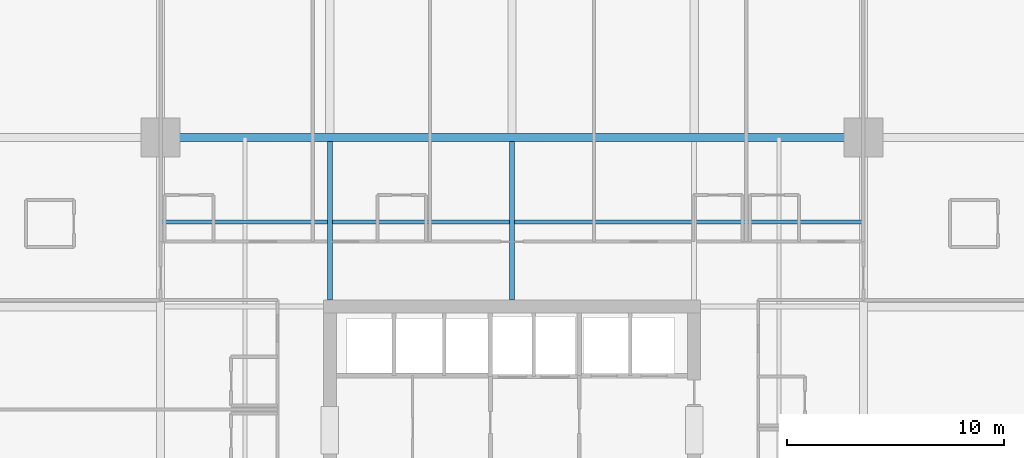
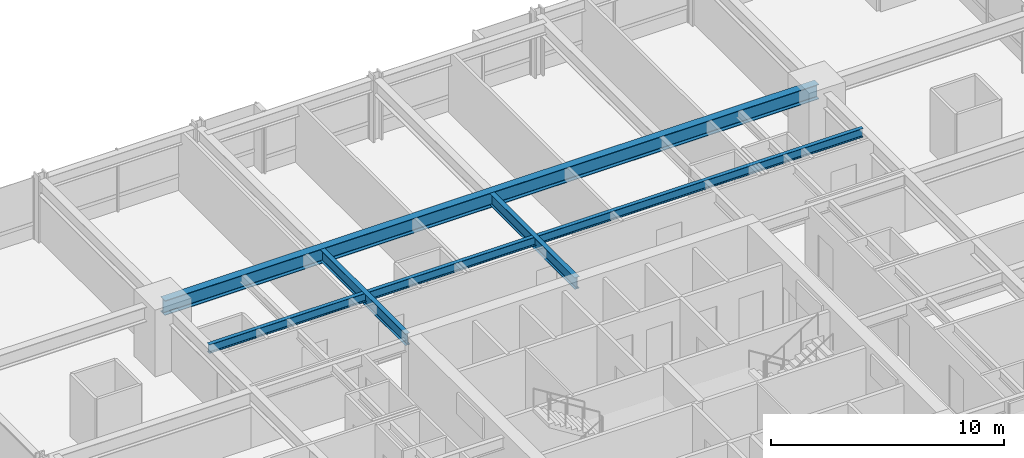
# One storey, part 20 of 38: 4 beams.
"""IFC4 building model written with IfcOpenShell, lengths in metres."""

from ifc_helpers import new_model, si_unit, direction, frame, origin, origin_2d, place, context, subcontext, project, spatial, i_section, extrude, material, material_profile, profile_set, type_object, element, save


model = new_model("IFC4")

# Units and contexts
model_context = context("Model", 3, precision=1e-05, world=origin(), true_north=direction((0.0, 1.0)))
body_context = subcontext(model_context, "Body", "Model", "MODEL_VIEW")
ifc_project = project(units=[si_unit("LENGTHUNIT", "METRE"), si_unit("AREAUNIT", "SQUARE_METRE"), si_unit("VOLUMEUNIT", "CUBIC_METRE"), si_unit("PLANEANGLEUNIT", "RADIAN"), si_unit("MASSUNIT", "GRAM", prefix="KILO")], contexts=[model_context])

# Site, building, storey
site_placement = place(None, origin())
site = spatial("IfcSite", under=ifc_project, at=site_placement, CompositionType="ELEMENT")
building_placement = place(site_placement, origin())
building = spatial("IfcBuilding", under=site, at=building_placement, Name="Drelvath Grand Hotel", CompositionType="ELEMENT")
storey_placement = place(building_placement, frame((0.0, 0.0, 61.199951171875)))
storey = spatial("IfcBuildingStorey", under=building, at=storey_placement, Name="L14", CompositionType="ELEMENT", Elevation=61.199951171875)

# Beams
ifc_material = material(Name="Steel ASTM A992 Gr 50", Category="steel")
ifc_material_profile_1 = material_profile(ifc_material, i_section(OverallWidth=0.19140625, OverallDepth=0.4599609375, WebThickness=0.010009765625, FlangeThickness=0.01611328125, FilletRadius=0.01611328125, at=origin_2d()), Name="W18X55")
ifc_profile_set_1 = profile_set([ifc_material_profile_1], Name="Steel ASTM A992 Gr 50")
beam_type_1 = type_object("IfcBeamType", Name="Composite Floor Joist W18X55", PredefinedType="JOIST", material=ifc_profile_set_1)
beam_1_placement = place(storey_placement, frame((-16.199951171875, 39.300048828125, 3.010009765625), z_axis=(1.0, 0.0, 0.0), x_axis=(0.0, 1.0, 0.0)))
element("IfcBeam", 1, at=beam_1_placement, inside=storey, type_object=beam_type_1, Name="L14 Floor Joist J2", PredefinedType="JOIST", context=body_context, shape_type="SweptSolid", body=[
    extrude(i_section(OverallWidth=0.19140625, OverallDepth=0.4599609375, WebThickness=0.010009765625, FlangeThickness=0.01611328125, FilletRadius=0.01611328125, at=origin_2d()), origin(), (0.0, 0.0, 1.0), 32.39990234375),
])
ifc_material_profile_2 = material_profile(ifc_material, i_section(OverallWidth=0.228271484375, OverallDepth=0.607666015625, WebThickness=0.01123046875, FlangeThickness=0.017333984375, FilletRadius=0.02001953125, at=origin_2d()), Name="W24X76")
ifc_profile_set_2 = profile_set([ifc_material_profile_2], Name="Steel ASTM A992 Gr 50")
beam_type_2 = type_object("IfcBeamType", Name="Primary Floor Girder W24X76", PredefinedType="BEAM", material=ifc_profile_set_2)
for number, where, z_axis, x_axis, name in (
    (2, (-8.39990234375, 35.699951171875, 2.936279296875), (0.0, 1.0, 0.0), (-1.0, 0.0, 0.0), "L14 North Core Tie 4"),
    (3, (0.0, 35.699951171875, 2.936279296875), (0.0, 1.0, 0.0), (-1.0, 0.0, 0.0), "L14 North Core Tie 5"),
):
    element("IfcBeam", number, at=place(storey_placement, frame(where, z_axis=z_axis, x_axis=x_axis)), inside=storey, type_object=beam_type_2, Name=name, PredefinedType="BEAM", context=body_context, shape_type="SweptSolid", body=[
        extrude(i_section(OverallWidth=0.228271484375, OverallDepth=0.607666015625, WebThickness=0.01123046875, FlangeThickness=0.017333984375, FilletRadius=0.02001953125, at=origin_2d()), origin(), (0.0, 0.0, 1.0), 7.309814453125),
    ])
ifc_material_profile_3 = material_profile(ifc_material, i_section(OverallWidth=0.380615234375, OverallDepth=0.773193359375, WebThickness=0.0166015625, FlangeThickness=0.027099609375, FilletRadius=0.02490234375, at=origin_2d()), Name="W30X173")
ifc_profile_set_3 = profile_set([ifc_material_profile_3], Name="Steel ASTM A992 Gr 50")
beam_type_3 = type_object("IfcBeamType", Name="Primary Floor Girder W30X173", PredefinedType="BEAM", material=ifc_profile_set_3)
beam_2_placement = place(storey_placement, frame((-16.199951171875, 43.199951171875, 2.853515625), z_axis=(1.0, 0.0, 0.0), x_axis=(0.0, 1.0, 0.0)))
element("IfcBeam", 4, at=beam_2_placement, inside=storey, type_object=beam_type_3, Name="L14 Mega Ring Girder North", PredefinedType="BEAM", context=body_context, shape_type="SweptSolid", body=[
    extrude(i_section(OverallWidth=0.380615234375, OverallDepth=0.773193359375, WebThickness=0.0166015625, FlangeThickness=0.027099609375, FilletRadius=0.02490234375, at=origin_2d()), origin(), (0.0, 0.0, 1.0), 32.39990234375),
])

save(model, "model.ifc")
